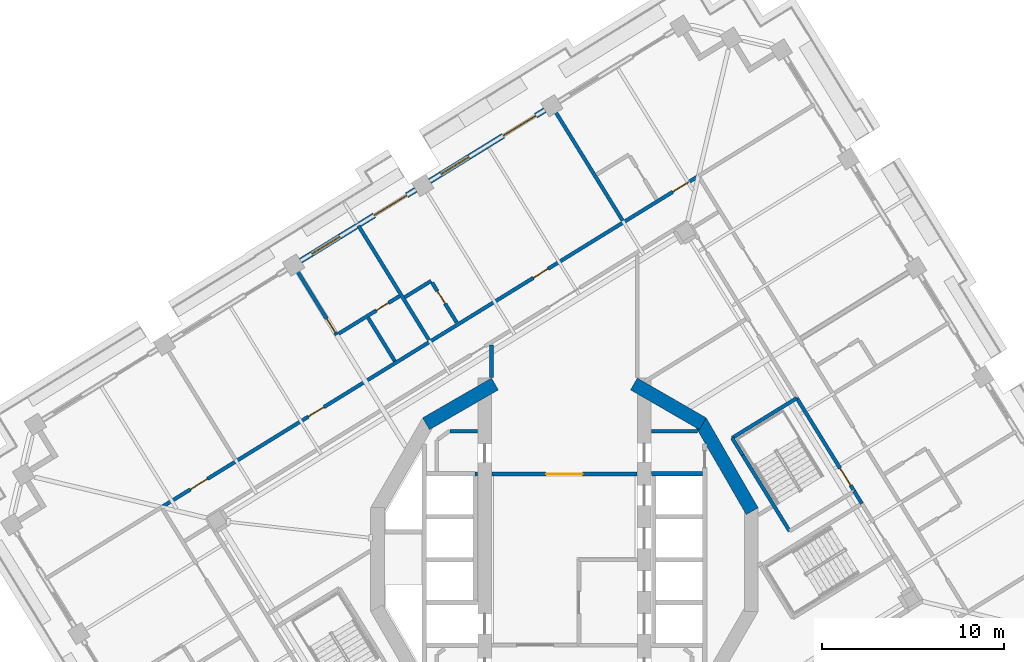
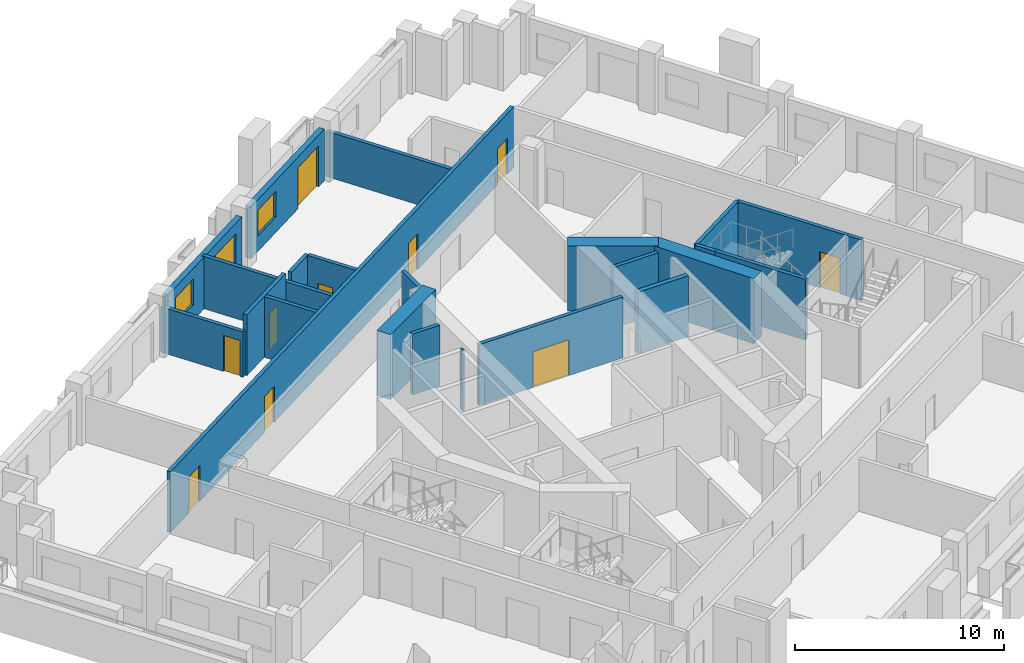
# One storey, part 8 of 20: 24 walls, 11 doors, 2 windows, 13 openings.
"""IFC4 building model written with IfcOpenShell, lengths in metres."""

from ifc_helpers import new_model, si_unit, direction, frame, frame_2d, origin, place, context, subcontext, project, spatial, rectangle, extrude, material, layer, layer_set, type_object, element, fill, save


model = new_model("IFC4")

# Units and contexts
model_context = context("Model", 3, precision=1e-05, world=origin(), true_north=direction((0.0, 1.0)))
body_context = subcontext(model_context, "Body", "Model", "MODEL_VIEW")
ifc_project = project(units=[si_unit("LENGTHUNIT", "METRE"), si_unit("AREAUNIT", "SQUARE_METRE"), si_unit("VOLUMEUNIT", "CUBIC_METRE"), si_unit("PLANEANGLEUNIT", "RADIAN"), si_unit("MASSUNIT", "GRAM", prefix="KILO")], contexts=[model_context])

# Site, building, storey
site_placement = place(None, origin())
site = spatial("IfcSite", under=ifc_project, at=site_placement, CompositionType="ELEMENT")
building_placement = place(site_placement, origin())
building = spatial("IfcBuilding", under=site, at=building_placement, Name="Cantera Rosa Tower", CompositionType="ELEMENT")
storey_placement = place(building_placement, frame((0.0, 0.0, 159.0)))
storey = spatial("IfcBuildingStorey", under=building, at=storey_placement, Name="L34", CompositionType="ELEMENT", Elevation=159.0)

# Wall
ifc_material_1 = material(Name="Gypsum board partition")
ifc_layer_1 = layer(ifc_material_1, 0.199951171875)
ifc_layer_set_1 = layer_set([ifc_layer_1], Name="CORRIDOR WALL 200 H3550")
wall_type_1 = type_object("IfcWallType", Name="CORRIDOR WALL 200 H3550", PredefinedType="PARTITIONING", material=ifc_layer_set_1)
wall_1_placement = place(storey_placement, frame((-4.0, 11.765625, 0.0), z_axis=(0.0, 0.0, 1.0), x_axis=(0.0, -1.0, 0.0)))
element("IfcWall", 1, at=wall_1_placement, inside=storey, type_object=wall_type_1, Name="CORRIDOR WALL L34-058", PredefinedType="PARTITIONING", context=body_context, shape_type="SweptSolid", body=[
    extrude(rectangle(XDim=1.771484375, YDim=0.199951171875, at=frame_2d((0.8857421875, 0.0))), origin(), (0.0, 0.0, 1.0), 3.550048828125),
])

# Wall, opening, door
wall_2_placement = place(storey_placement, frame((-3.969970703125, 4.699951171875, 0.0), z_axis=(0.0, 0.0, 1.0), x_axis=(1.0, 0.0, 0.0)))
wall_2 = element("IfcWall", 2, at=wall_2_placement, inside=storey, type_object=wall_type_1, Name="CORRIDOR WALL L34-059", PredefinedType="PARTITIONING", context=body_context, shape_type="SweptSolid", body=[
    extrude(rectangle(XDim=7.93994140625, YDim=0.199951171875, at=frame_2d((3.969970703125, 0.0))), origin(), (0.0, 0.0, 1.0), 3.550048828125),
])
opening_1_placement = place(wall_2_placement, frame((2.969970703125, 0.0, 0.0)))
opening_1 = element("IfcOpeningElement", 3, at=opening_1_placement, cuts=wall_2, Name="Opening L34-012", PredefinedType="OPENING", context=body_context, shape_type="SweptSolid", body=[
    extrude(rectangle(XDim=2.0, YDim=2.10009765625, at=frame_2d((1.0, 1.050048828125))), frame((0.0, 0.10986328125, 0.0), z_axis=(0.0, -1.0, 0.0), x_axis=(1.0, 0.0, 0.0)), (0.0, 0.0, 1.0), 0.219970703125),
])
ifc_material_2 = material(Name="Steel S355J2 (EN 10025-2)", Category="steel")
door_type_1 = type_object("IfcDoorType", Name="LOBBY SCREEN DOOR 2000x2100", OperationType="NOTDEFINED", PredefinedType="DOOR", material=ifc_material_2)
door_1_placement = place(opening_1_placement, origin())
door_1 = element("IfcDoor", 4, at=door_1_placement, inside=storey, type_object=door_type_1, Name="DOOR L34-012", OperationType="NOTDEFINED", OverallHeight=2.10009765625, OverallWidth=2.0, PredefinedType="DOOR", context=body_context, shape_type="SweptSolid", body=[
    extrude(rectangle(XDim=2.0, YDim=2.10009765625, at=frame_2d((1.0, 1.050048828125))), frame((0.0, 0.02490234375, 0.0), z_axis=(0.0, -1.0, 0.0), x_axis=(1.0, 0.0, 0.0)), (0.0, 0.0, 1.0), 0.050048828125),
])
fill(opening_1, door_1)

# Wall, openings, doors
wall_3_placement = place(storey_placement, frame((7.348388671875, 21.040283203125, 0.0), z_axis=(0.0, 0.0, 1.0), x_axis=(-0.85111711572, -0.524975861662, 0.0)))
wall_3 = element("IfcWall", 5, at=wall_3_placement, inside=storey, type_object=wall_type_1, Name="CORRIDOR WALL L34-089", PredefinedType="PARTITIONING", context=body_context, shape_type="SweptSolid", body=[
    extrude(rectangle(XDim=34.599853515625, YDim=0.199951171875, at=frame_2d((17.2998046875, 0.0))), origin(), (0.0, 0.0, 1.0), 3.550048828125),
])
opening_2_placement = place(wall_3_placement, frame((9.68505859375, 0.0, 0.0)))
opening_2 = element("IfcOpeningElement", 6, at=opening_2_placement, cuts=wall_3, Name="Opening L34-028", PredefinedType="OPENING", context=body_context, shape_type="SweptSolid", body=[
    extrude(rectangle(XDim=0.949951171875, YDim=2.10009765625, at=frame_2d((0.47509765625, 1.050048828125))), frame((0.0, 0.10986328125, 0.0), z_axis=(0.0, -1.0, 0.0), x_axis=(1.0, 0.0, 0.0)), (0.0, 0.0, 1.0), 0.219970703125),
])
opening_3_placement = place(wall_3_placement, frame((24.139892578125, 0.0, 0.0)))
opening_3 = element("IfcOpeningElement", 7, at=opening_3_placement, cuts=wall_3, Name="Opening L34-030", PredefinedType="OPENING", context=body_context, shape_type="SweptSolid", body=[
    extrude(rectangle(XDim=1.0, YDim=2.10009765625, at=frame_2d((0.5, 1.050048828125))), frame((0.0, 0.10986328125, 0.0), z_axis=(0.0, -1.0, 0.0), x_axis=(1.0, 0.0, 0.0)), (0.0, 0.0, 1.0), 0.219970703125),
])
opening_4_placement = place(wall_3_placement, frame((0.64990234375, 0.0, 0.0)))
opening_4 = element("IfcOpeningElement", 8, at=opening_4_placement, cuts=wall_3, Name="Opening L34-033", PredefinedType="OPENING", context=body_context, shape_type="SweptSolid", body=[
    extrude(rectangle(XDim=1.0, YDim=2.10009765625, at=frame_2d((0.5, 1.050048828125))), frame((0.0, 0.10986328125, 0.0), z_axis=(0.0, -1.0, 0.0), x_axis=(1.0, 0.0, 0.0)), (0.0, 0.0, 1.0), 0.219970703125),
])
opening_5_placement = place(wall_3_placement, frame((31.639892578125, 0.0, 0.0)))
opening_5 = element("IfcOpeningElement", 9, at=opening_5_placement, cuts=wall_3, Name="Opening L34-035", PredefinedType="OPENING", context=body_context, shape_type="SweptSolid", body=[
    extrude(rectangle(XDim=1.10009765625, YDim=2.10009765625, at=frame_2d((0.550048828125, 1.050048828125))), frame((0.0, 0.10986328125, 0.0), z_axis=(0.0, -1.0, 0.0), x_axis=(1.0, 0.0, 0.0)), (0.0, 0.0, 1.0), 0.219970703125),
])
ifc_material_3 = material(Name="Timber door leaf", Category="wood")
door_type_2 = type_object("IfcDoorType", Name="ENTRANCE DOOR 1000x2100", OperationType="NOTDEFINED", PredefinedType="DOOR", material=ifc_material_3)
door_2_placement = place(opening_3_placement, origin())
door_2 = element("IfcDoor", 10, at=door_2_placement, inside=storey, type_object=door_type_2, Name="DOOR L34-030", OperationType="NOTDEFINED", OverallHeight=2.10009765625, OverallWidth=1.0, PredefinedType="DOOR", context=body_context, shape_type="SweptSolid", body=[
    extrude(rectangle(XDim=1.0, YDim=2.10009765625, at=frame_2d((0.5, 1.050048828125))), frame((0.0, 0.02490234375, 0.0), z_axis=(0.0, -1.0, 0.0), x_axis=(1.0, 0.0, 0.0)), (0.0, 0.0, 1.0), 0.050048828125),
])
fill(opening_3, door_2)
door_3_placement = place(opening_4_placement, origin())
door_3 = element("IfcDoor", 11, at=door_3_placement, inside=storey, type_object=door_type_2, Name="DOOR L34-033", OperationType="NOTDEFINED", OverallHeight=2.10009765625, OverallWidth=1.0, PredefinedType="DOOR", context=body_context, shape_type="SweptSolid", body=[
    extrude(rectangle(XDim=1.0, YDim=2.10009765625, at=frame_2d((0.5, 1.050048828125))), frame((0.0, 0.02490234375, 0.0), z_axis=(0.0, -1.0, 0.0), x_axis=(1.0, 0.0, 0.0)), (0.0, 0.0, 1.0), 0.050048828125),
])
fill(opening_4, door_3)
ifc_material_4 = material(Name="Timber door leaf", Category="wood")
door_type_3 = type_object("IfcDoorType", Name="ROOM DOOR 1100x2100", OperationType="NOTDEFINED", PredefinedType="DOOR", material=ifc_material_4)
door_4_placement = place(opening_5_placement, origin())
door_4 = element("IfcDoor", 12, at=door_4_placement, inside=storey, type_object=door_type_3, Name="DOOR L34-035", OperationType="NOTDEFINED", OverallHeight=2.10009765625, OverallWidth=1.10009765625, PredefinedType="DOOR", context=body_context, shape_type="SweptSolid", body=[
    extrude(rectangle(XDim=1.10009765625, YDim=2.10009765625, at=frame_2d((0.550048828125, 1.050048828125))), frame((0.0, 0.02490234375, 0.0), z_axis=(0.0, -1.0, 0.0), x_axis=(1.0, 0.0, 0.0)), (0.0, 0.0, 1.0), 0.050048828125),
])
fill(opening_5, door_4)
ifc_material_5 = material(Name="Timber door leaf", Category="wood")
door_type_4 = type_object("IfcDoorType", Name="ROOM DOOR 950x2100", OperationType="NOTDEFINED", PredefinedType="DOOR", material=ifc_material_5)
door_5_placement = place(opening_2_placement, origin())
door_5 = element("IfcDoor", 13, at=door_5_placement, inside=storey, type_object=door_type_4, Name="DOOR L34-028", OperationType="NOTDEFINED", OverallHeight=2.10009765625, OverallWidth=0.949951171875, PredefinedType="DOOR", context=body_context, shape_type="SweptSolid", body=[
    extrude(rectangle(XDim=0.949951171875, YDim=2.10009765625, at=frame_2d((0.47509765625, 1.050048828125))), frame((0.0, 0.02490234375, 0.0), z_axis=(0.0, -1.0, 0.0), x_axis=(1.0, 0.0, 0.0)), (0.0, 0.0, 1.0), 0.050048828125),
])
fill(opening_2, door_5)

# Wall
wall_4_placement = place(storey_placement, frame((16.31591796875, 3.072998046875, 0.0), z_axis=(0.0, 0.0, 1.0), x_axis=(-0.524947597637, 0.85113454855, 0.0)))
element("IfcWall", 14, at=wall_4_placement, inside=storey, type_object=wall_type_1, Name="CORRIDOR WALL L34-111", PredefinedType="PARTITIONING", context=body_context, shape_type="SweptSolid", body=[
    extrude(rectangle(XDim=0.80078125, YDim=0.199951171875, at=frame_2d((0.400390625, 0.0))), origin(), (0.0, 0.0, 1.0), 3.550048828125),
])

# Wall, openings, window, door
ifc_material_6 = material(Name="Hollow clay masonry with cantera stone cladding", Category="masonry")
ifc_layer_2 = layer(ifc_material_6, 0.300048828125)
ifc_layer_set_2 = layer_set([ifc_layer_2], Name="EW-LOGGIA 300 H3020")
wall_type_2 = type_object("IfcWallType", Name="EW-LOGGIA 300 H3020", PredefinedType="SOLIDWALL", material=ifc_layer_set_2)
wall_5_placement = place(storey_placement, frame((-1.07421875, 24.656982421875, 0.0), z_axis=(0.0, 0.0, 1.0), x_axis=(-0.85112578684, -0.524961803349, 0.0)))
wall_5 = element("IfcWall", 15, at=wall_5_placement, inside=storey, type_object=wall_type_2, Name="EN-L34-W09", PredefinedType="SOLIDWALL", context=body_context, shape_type="SweptSolid", body=[
    extrude(rectangle(XDim=7.420166015625, YDim=0.300048828125, at=frame_2d((3.7099609375, 0.0))), origin(), (0.0, 0.0, 1.0), 3.02001953125),
])
opening_6_placement = place(wall_5_placement, frame((0.580078125, 0.0, 0.0)))
opening_6 = element("IfcOpeningElement", 16, at=opening_6_placement, cuts=wall_5, Name="Opening L34-TD13", PredefinedType="OPENING", context=body_context, shape_type="SweptSolid", body=[
    extrude(rectangle(XDim=2.10009765625, YDim=2.39990234375, at=frame_2d((1.050048828125, 1.199951171875))), frame((0.0, 0.159912109375, 0.0), z_axis=(0.0, -1.0, 0.0), x_axis=(1.0, 0.0, 0.0)), (0.0, 0.0, 1.0), 0.320068359375),
])
opening_7_placement = place(wall_5_placement, frame((4.889892578125, 0.0, 0.89990234375)))
opening_7 = element("IfcOpeningElement", 17, at=opening_7_placement, cuts=wall_5, Name="Opening L34-W14", PredefinedType="OPENING", context=body_context, shape_type="SweptSolid", body=[
    extrude(rectangle(XDim=1.800048828125, YDim=1.5, at=frame_2d((0.89990234375, 0.75))), frame((0.0, 0.159912109375, 0.0), z_axis=(0.0, -1.0, 0.0), x_axis=(1.0, 0.0, 0.0)), (0.0, 0.0, 1.0), 0.320068359375),
])
ifc_material_7 = material(Name="Aluminium frame with clear glass", Category="aluminium")
window_type = type_object("IfcWindowType", Name="Hotel room window 1800x1500", PartitioningType="DOUBLE_PANEL_VERTICAL", PredefinedType="WINDOW", material=ifc_material_7)
window_1_placement = place(opening_7_placement, origin())
window_1 = element("IfcWindow", 18, at=window_1_placement, inside=storey, type_object=window_type, Name="WINDOW L34-W14", OverallHeight=1.5, OverallWidth=1.800048828125, PartitioningType="SINGLE_PANEL", PredefinedType="WINDOW", context=body_context, shape_type="SweptSolid", body=[
    extrude(rectangle(XDim=1.800048828125, YDim=1.5, at=frame_2d((0.89990234375, 0.75))), frame((0.0, 0.030029296875, 0.0), z_axis=(0.0, -1.0, 0.0), x_axis=(1.0, 0.0, 0.0)), (0.0, 0.0, 1.0), 0.06005859375),
])
fill(opening_7, window_1)
ifc_material_8 = material(Name="Aluminium frame with clear glass", Category="aluminium")
door_type_5 = type_object("IfcDoorType", Name="TD-H 2100x2400", OperationType="NOTDEFINED", PredefinedType="DOOR", material=ifc_material_8)
door_6_placement = place(opening_6_placement, origin())
door_6 = element("IfcDoor", 19, at=door_6_placement, inside=storey, type_object=door_type_5, Name="LOGGIA DOOR L34-TD13", OperationType="SLIDING_TO_LEFT", OverallHeight=2.39990234375, OverallWidth=2.10009765625, PredefinedType="DOOR", context=body_context, shape_type="SweptSolid", body=[
    extrude(rectangle(XDim=2.10009765625, YDim=2.39990234375, at=frame_2d((1.050048828125, 1.199951171875))), frame((0.0, 0.02490234375, 0.0), z_axis=(0.0, -1.0, 0.0), x_axis=(1.0, 0.0, 0.0)), (0.0, 0.0, 1.0), 0.050048828125),
])
fill(opening_6, door_6)

wall_6_placement = place(storey_placement, frame((-8.155517578125, 20.289306640625, 0.0), z_axis=(0.0, 0.0, 1.0), x_axis=(-0.851111085575, -0.524985637909, 0.0)))
wall_6 = element("IfcWall", 20, at=wall_6_placement, inside=storey, type_object=wall_type_2, Name="EN-L34-W10", PredefinedType="SOLIDWALL", context=body_context, shape_type="SweptSolid", body=[
    extrude(rectangle(XDim=7.420166015625, YDim=0.300048828125, at=frame_2d((3.7099609375, 0.0))), origin(), (0.0, 0.0, 1.0), 3.02001953125),
])
opening_8_placement = place(wall_6_placement, frame((0.580078125, 0.0, 0.0)))
opening_8 = element("IfcOpeningElement", 21, at=opening_8_placement, cuts=wall_6, Name="Opening L34-TD15", PredefinedType="OPENING", context=body_context, shape_type="SweptSolid", body=[
    extrude(rectangle(XDim=2.10009765625, YDim=2.39990234375, at=frame_2d((1.050048828125, 1.199951171875))), frame((0.0, 0.159912109375, 0.0), z_axis=(0.0, -1.0, 0.0), x_axis=(1.0, 0.0, 0.0)), (0.0, 0.0, 1.0), 0.320068359375),
])
opening_9_placement = place(wall_6_placement, frame((4.889892578125, 0.0, 0.89990234375)))
opening_9 = element("IfcOpeningElement", 22, at=opening_9_placement, cuts=wall_6, Name="Opening L34-W16", PredefinedType="OPENING", context=body_context, shape_type="SweptSolid", body=[
    extrude(rectangle(XDim=1.800048828125, YDim=1.5, at=frame_2d((0.89990234375, 0.75))), frame((0.0, 0.159912109375, 0.0), z_axis=(0.0, -1.0, 0.0), x_axis=(1.0, 0.0, 0.0)), (0.0, 0.0, 1.0), 0.320068359375),
])
window_2_placement = place(opening_9_placement, origin())
window_2 = element("IfcWindow", 23, at=window_2_placement, inside=storey, type_object=window_type, Name="WINDOW L34-W16", OverallHeight=1.5, OverallWidth=1.800048828125, PartitioningType="SINGLE_PANEL", PredefinedType="WINDOW", context=body_context, shape_type="SweptSolid", body=[
    extrude(rectangle(XDim=1.800048828125, YDim=1.5, at=frame_2d((0.89990234375, 0.75))), frame((0.0, 0.030029296875, 0.0), z_axis=(0.0, -1.0, 0.0), x_axis=(1.0, 0.0, 0.0)), (0.0, 0.0, 1.0), 0.06005859375),
])
fill(opening_9, window_2)
door_7_placement = place(opening_8_placement, origin())
door_7 = element("IfcDoor", 24, at=door_7_placement, inside=storey, type_object=door_type_5, Name="LOGGIA DOOR L34-TD15", OperationType="SLIDING_TO_LEFT", OverallHeight=2.39990234375, OverallWidth=2.10009765625, PredefinedType="DOOR", context=body_context, shape_type="SweptSolid", body=[
    extrude(rectangle(XDim=2.10009765625, YDim=2.39990234375, at=frame_2d((1.050048828125, 1.199951171875))), frame((0.0, 0.02490234375, 0.0), z_axis=(0.0, -1.0, 0.0), x_axis=(1.0, 0.0, 0.0)), (0.0, 0.0, 1.0), 0.050048828125),
])
fill(opening_8, door_7)

# Wall, opening, door
ifc_material_9 = material(Name="Gypsum board partition")
ifc_layer_3 = layer(ifc_material_9, 0.199951171875)
ifc_layer_set_3 = layer_set([ifc_layer_3], Name="PARTITION 200 H2650")
wall_type_3 = type_object("IfcWallType", Name="PARTITION 200 H2650", PredefinedType="PARTITIONING", material=ifc_layer_set_3)
wall_7_placement = place(storey_placement, frame((-12.491455078125, 12.32763671875, 0.0), z_axis=(0.0, 0.0, 1.0), x_axis=(-0.524986965499, 0.851110266685, 0.0)))
wall_7 = element("IfcWall", 25, at=wall_7_placement, inside=storey, type_object=wall_type_3, Name="PARTITION L34-018", PredefinedType="PARTITIONING", context=body_context, shape_type="SweptSolid", body=[
    extrude(rectangle(XDim=4.469970703125, YDim=0.199951171875, at=frame_2d((2.23486328125, 0.0))), origin(), (0.0, 0.0, 1.0), 2.64990234375),
])
opening_10_placement = place(wall_7_placement, frame((0.14990234375, 0.0, 0.0)))
opening_10 = element("IfcOpeningElement", 26, at=opening_10_placement, cuts=wall_7, Name="Opening L34-031", PredefinedType="OPENING", context=body_context, shape_type="SweptSolid", body=[
    extrude(rectangle(XDim=0.89990234375, YDim=2.10009765625, at=frame_2d((0.449951171875, 1.050048828125))), frame((0.0, 0.10986328125, 0.0), z_axis=(0.0, -1.0, 0.0), x_axis=(1.0, 0.0, 0.0)), (0.0, 0.0, 1.0), 0.219970703125),
])
ifc_material_10 = material(Name="Timber door leaf", Category="wood")
door_type_6 = type_object("IfcDoorType", Name="ROOM DOOR 900x2100", OperationType="NOTDEFINED", PredefinedType="DOOR", material=ifc_material_10)
door_8_placement = place(opening_10_placement, origin())
door_8 = element("IfcDoor", 27, at=door_8_placement, inside=storey, type_object=door_type_6, Name="DOOR L34-031", OperationType="NOTDEFINED", OverallHeight=2.10009765625, OverallWidth=0.89990234375, PredefinedType="DOOR", context=body_context, shape_type="SweptSolid", body=[
    extrude(rectangle(XDim=0.89990234375, YDim=2.10009765625, at=frame_2d((0.449951171875, 1.050048828125))), frame((0.0, 0.02490234375, 0.0), z_axis=(0.0, -1.0, 0.0), x_axis=(1.0, 0.0, 0.0)), (0.0, 0.0, 1.0), 0.050048828125),
])
fill(opening_10, door_8)

# Wall
ifc_material_11 = material(Name="Gypsum board partition")
ifc_layer_4 = layer(ifc_material_11, 0.199951171875)
ifc_layer_set_4 = layer_set([ifc_layer_4], Name="PARTITION 200 H3550")
wall_type_4 = type_object("IfcWallType", Name="PARTITION 200 H3550", PredefinedType="PARTITIONING", material=ifc_layer_set_4)
wall_8_placement = place(storey_placement, frame((-9.30078125, 10.888427734375, 0.0), z_axis=(0.0, 0.0, 1.0), x_axis=(-0.525008529336, 0.851096965172, 0.0)))
element("IfcWall", 28, at=wall_8_placement, inside=storey, type_object=wall_type_4, Name="PARTITION L34-025", PredefinedType="PARTITIONING", context=body_context, shape_type="SweptSolid", body=[
    extrude(rectangle(XDim=2.77978515625, YDim=0.199951171875, at=frame_2d((1.389892578125, 0.0))), origin(), (0.0, 0.0, 1.0), 3.550048828125),
])

# Wall, opening, door
wall_9_placement = place(storey_placement, frame((-9.052978515625, 14.448486328125, 0.0), z_axis=(0.0, 0.0, 1.0), x_axis=(-0.851125418934, -0.524962399839, 0.0)))
wall_9 = element("IfcWall", 29, at=wall_9_placement, inside=storey, type_object=wall_type_4, Name="PARTITION L34-027", PredefinedType="PARTITIONING", context=body_context, shape_type="SweptSolid", body=[
    extrude(rectangle(XDim=3.919921875, YDim=0.199951171875, at=frame_2d((1.9599609375, 0.0))), origin(), (0.0, 0.0, 1.0), 3.550048828125),
])
opening_11_placement = place(wall_9_placement, frame((0.68994140625, 0.0, 0.0)))
opening_11 = element("IfcOpeningElement", 30, at=opening_11_placement, cuts=wall_9, Name="Opening L34-032", PredefinedType="OPENING", context=body_context, shape_type="SweptSolid", body=[
    extrude(rectangle(XDim=0.800048828125, YDim=2.10009765625, at=frame_2d((0.39990234375, 1.050048828125))), frame((0.0, 0.10986328125, 0.0), z_axis=(0.0, -1.0, 0.0), x_axis=(1.0, 0.0, 0.0)), (0.0, 0.0, 1.0), 0.219970703125),
])
ifc_material_12 = material(Name="Timber door leaf", Category="wood")
door_type_7 = type_object("IfcDoorType", Name="BATHROOM DOOR 800x2100", OperationType="NOTDEFINED", PredefinedType="DOOR", material=ifc_material_12)
door_9_placement = place(opening_11_placement, origin())
door_9 = element("IfcDoor", 31, at=door_9_placement, inside=storey, type_object=door_type_7, Name="DOOR L34-032", OperationType="NOTDEFINED", OverallHeight=2.10009765625, OverallWidth=0.800048828125, PredefinedType="DOOR", context=body_context, shape_type="SweptSolid", body=[
    extrude(rectangle(XDim=0.800048828125, YDim=2.10009765625, at=frame_2d((0.39990234375, 1.050048828125))), frame((0.0, 0.02490234375, 0.0), z_axis=(0.0, -1.0, 0.0), x_axis=(1.0, 0.0, 0.0)), (0.0, 0.0, 1.0), 0.050048828125),
])
fill(opening_11, door_9)

# Wall
wall_10_placement = place(storey_placement, frame((-8.7607421875, 14.393798828125, 0.0), z_axis=(0.0, 0.0, 1.0), x_axis=(0.851105638601, 0.524994468487, 0.0)))
element("IfcWall", 32, at=wall_10_placement, inside=storey, type_object=wall_type_4, Name="PARTITION L34-028", PredefinedType="PARTITIONING", context=body_context, shape_type="SweptSolid", body=[
    extrude(rectangle(XDim=1.7001953125, YDim=0.199951171875, at=frame_2d((0.85009765625, 0.0))), origin(), (0.0, 0.0, 1.0), 3.550048828125),
])

# Wall, opening, door
wall_11_placement = place(storey_placement, frame((-7.26123046875, 15.201171875, 0.0), z_axis=(0.0, 0.0, 1.0), x_axis=(0.524936695429, -0.851141272523, 0.0)))
wall_11 = element("IfcWall", 33, at=wall_11_placement, inside=storey, type_object=wall_type_4, Name="PARTITION L34-040", PredefinedType="PARTITIONING", context=body_context, shape_type="SweptSolid", body=[
    extrude(rectangle(XDim=2.579833984375, YDim=0.199951171875, at=frame_2d((1.2900390625, 0.0))), origin(), (0.0, 0.0, 1.0), 3.550048828125),
])
opening_12_placement = place(wall_11_placement, frame((0.56396484375, 0.0, 0.0)))
opening_12 = element("IfcOpeningElement", 34, at=opening_12_placement, cuts=wall_11, Name="Opening L34-029", PredefinedType="OPENING", context=body_context, shape_type="SweptSolid", body=[
    extrude(rectangle(XDim=0.800048828125, YDim=2.10009765625, at=frame_2d((0.39990234375, 1.050048828125))), frame((0.0, 0.10986328125, 0.0), z_axis=(0.0, -1.0, 0.0), x_axis=(1.0, 0.0, 0.0)), (0.0, 0.0, 1.0), 0.219970703125),
])
door_10_placement = place(opening_12_placement, origin())
door_10 = element("IfcDoor", 35, at=door_10_placement, inside=storey, type_object=door_type_7, Name="DOOR L34-029", OperationType="NOTDEFINED", OverallHeight=2.10009765625, OverallWidth=0.800048828125, PredefinedType="DOOR", context=body_context, shape_type="SweptSolid", body=[
    extrude(rectangle(XDim=0.800048828125, YDim=2.10009765625, at=frame_2d((0.39990234375, 1.050048828125))), frame((0.0, 0.02490234375, 0.0), z_axis=(0.0, -1.0, 0.0), x_axis=(1.0, 0.0, 0.0)), (0.0, 0.0, 1.0), 0.050048828125),
])
fill(opening_12, door_10)

# Walls
wall_12_placement = place(storey_placement, frame((-6.273681640625, 7.050048828125, 0.0), z_axis=(0.0, 0.0, 1.0), x_axis=(1.0, 0.0, 0.0)))
element("IfcWall", 36, at=wall_12_placement, inside=storey, type_object=wall_type_4, Name="PARTITION L34-048", PredefinedType="PARTITIONING", context=body_context, shape_type="SweptSolid", body=[
    extrude(rectangle(XDim=1.49365234375, YDim=0.199951171875, at=frame_2d((0.746826171875, 0.0))), origin(), (0.0, 0.0, 1.0), 3.550048828125),
])
wall_13_placement = place(storey_placement, frame((-4.780029296875, 4.699951171875, 0.0), z_axis=(0.0, 0.0, 1.0), x_axis=(-1.0, 0.0, 0.0)))
element("IfcWall", 37, at=wall_13_placement, inside=storey, type_object=wall_type_4, Name="PARTITION L34-053", PredefinedType="PARTITIONING", context=body_context, shape_type="SweptSolid", body=[
    extrude(rectangle(XDim=0.119873046875, YDim=0.199951171875, at=frame_2d((0.06005859375, 0.0))), origin(), (0.0, 0.0, 1.0), 3.550048828125),
])
wall_14_placement = place(storey_placement, frame((4.780029296875, 7.050048828125, 0.0), z_axis=(0.0, 0.0, 1.0), x_axis=(1.0, 0.0, 0.0)))
element("IfcWall", 38, at=wall_14_placement, inside=storey, type_object=wall_type_4, Name="PARTITION L34-080", PredefinedType="PARTITIONING", context=body_context, shape_type="SweptSolid", body=[
    extrude(rectangle(XDim=2.517822265625, YDim=0.199951171875, at=frame_2d((1.2587890625, 0.0))), origin(), (0.0, 0.0, 1.0), 3.550048828125),
])
ifc_material_13 = material(Name="Gypsum board partition")
ifc_layer_5 = layer(ifc_material_13, 0.199951171875)
ifc_layer_set_5 = layer_set([ifc_layer_5], Name="PARTY WALL 200 H2650")
wall_type_5 = type_object("IfcWallType", Name="PARTY WALL 200 H2650", PredefinedType="PARTITIONING", material=ifc_layer_set_5)
wall_15_placement = place(storey_placement, frame((-0.675537109375, 24.86767578125, 0.0), z_axis=(0.0, 0.0, 1.0), x_axis=(0.52498429839, -0.851111911821, 0.0)))
element("IfcWall", 39, at=wall_15_placement, inside=storey, type_object=wall_type_5, Name="PARTY WALL L34-062", PredefinedType="PARTITIONING", context=body_context, shape_type="SweptSolid", body=[
    extrude(rectangle(XDim=7.3701171875, YDim=0.199951171875, at=frame_2d((3.68505859375, 0.0))), origin(), (0.0, 0.0, 1.0), 2.64990234375),
])
ifc_material_14 = material(Name="Gypsum board partition")
ifc_layer_6 = layer(ifc_material_14, 0.199951171875)
ifc_layer_set_6 = layer_set([ifc_layer_6], Name="PARTY WALL 200 H3050")
wall_type_6 = type_object("IfcWallType", Name="PARTY WALL 200 H3050", PredefinedType="PARTITIONING", material=ifc_layer_set_6)
wall_16_placement = place(storey_placement, frame((-7.428466796875, 12.043212890625, 0.0), z_axis=(0.0, 0.0, 1.0), x_axis=(-0.52498429839, 0.851111911821, 0.0)))
element("IfcWall", 40, at=wall_16_placement, inside=storey, type_object=wall_type_6, Name="PARTY WALL L34-038", PredefinedType="PARTITIONING", context=body_context, shape_type="SweptSolid", body=[
    extrude(rectangle(XDim=7.3701171875, YDim=0.199951171875, at=frame_2d((3.68505859375, 0.0))), origin(), (0.0, 0.0, 1.0), 3.050048828125),
])
ifc_material_15 = material(Name="Concrete C60/75", Category="concrete")
ifc_layer_7 = layer(ifc_material_15, 0.75)
ifc_layer_set_7 = layer_set([ifc_layer_7], Name="RC CORE WALL 750 C60/75")
wall_type_7 = type_object("IfcWallType", Name="RC CORE WALL 750 C60/75", PredefinedType="SHEAR", material=ifc_layer_set_7)
for number, where, z_axis, x_axis, name in (
    (41, (-7.590576171875, 7.453369140625, 0.0), (0.0, 0.0, 1.0), (0.866013176292, 0.50002117804, 0.0), "CW-W5 L34"),
    (42, (3.8125, 9.634765625, 0.0), (0.0, 0.0, 1.0), (0.866013176292, -0.50002117804, 0.0), "CW-E1 L34"),
):
    element("IfcWall", number, at=place(storey_placement, frame(where, z_axis=z_axis, x_axis=x_axis)), inside=storey, type_object=wall_type_7, Name=name, PredefinedType="SHEAR", context=body_context, shape_type="SweptSolid", body=[
        extrude(rectangle(XDim=4.362548828125, YDim=0.75, at=frame_2d((2.18115234375, 0.0))), origin(), (0.0, 0.0, 1.0), 3.800048828125),
    ])
wall_17_placement = place(storey_placement, frame((7.453369140625, 7.590576171875, 0.0), z_axis=(0.0, 0.0, 1.0), x_axis=(0.500021842983, -0.866012792365, 0.0)))
element("IfcWall", 43, at=wall_17_placement, inside=storey, type_object=wall_type_7, Name="CW-E2 L34", PredefinedType="SHEAR", context=body_context, shape_type="SweptSolid", body=[
    extrude(rectangle(XDim=5.694091796875, YDim=0.75, at=frame_2d((2.84716796875, 0.0))), origin(), (0.0, 0.0, 1.0), 3.800048828125),
])
ifc_material_16 = material(Name="Masonry blockwork", Category="masonry")
ifc_layer_8 = layer(ifc_material_16, 0.25)
ifc_layer_set_8 = layer_set([ifc_layer_8], Name="SHAFT WALL 250 H3550")
wall_type_8 = type_object("IfcWallType", Name="SHAFT WALL 250 H3550", PredefinedType="SOLIDWALL", material=ifc_layer_set_8)
wall_18_placement = place(storey_placement, frame((4.780029296875, 4.699951171875, 0.0), z_axis=(0.0, 0.0, 1.0), x_axis=(1.0, 0.0, 0.0)))
element("IfcWall", 44, at=wall_18_placement, inside=storey, type_object=wall_type_8, Name="SHAFT WALL L34-079", PredefinedType="SOLIDWALL", context=body_context, shape_type="SweptSolid", body=[
    extrude(rectangle(XDim=2.794921875, YDim=0.25, at=frame_2d((1.3974609375, 0.0))), origin(), (0.0, 0.0, 1.0), 3.550048828125),
])
ifc_material_17 = material(Name="Concrete C50/60", Category="concrete")
ifc_layer_9 = layer(ifc_material_17, 0.199951171875)
ifc_layer_set_9 = layer_set([ifc_layer_9], Name="STAIR WALL 200 H3550")
wall_type_9 = type_object("IfcWallType", Name="STAIR WALL 200 H3550", PredefinedType="SOLIDWALL", material=ifc_layer_set_9)
wall_19_placement = place(storey_placement, frame((9.199462890625, 6.674072265625, 0.0), z_axis=(0.0, 0.0, 1.0), x_axis=(0.524902102766, -0.851162606387, 0.0)))
element("IfcWall", 45, at=wall_19_placement, inside=storey, type_object=wall_type_9, Name="STAIR WALL L34-096", PredefinedType="SOLIDWALL", context=body_context, shape_type="SweptSolid", body=[
    extrude(rectangle(XDim=1.10009765625, YDim=0.199951171875, at=frame_2d((0.550048828125, 0.0))), origin(), (0.0, 0.0, 1.0), 3.550048828125),
])
wall_20_placement = place(storey_placement, frame((12.74560546875, 8.861328125, 0.0), z_axis=(0.0, 0.0, 1.0), x_axis=(-0.851120688733, -0.524970068871, 0.0)))
element("IfcWall", 46, at=wall_20_placement, inside=storey, type_object=wall_type_9, Name="STAIR WALL L34-104", PredefinedType="SOLIDWALL", context=body_context, shape_type="SweptSolid", body=[
    extrude(rectangle(XDim=4.16650390625, YDim=0.199951171875, at=frame_2d((2.083251953125, 0.0))), origin(), (0.0, 0.0, 1.0), 3.550048828125),
])

# Wall, opening, door
wall_21_placement = place(storey_placement, frame((15.8955078125, 3.754638671875, 0.0), z_axis=(0.0, 0.0, 1.0), x_axis=(-0.524982543144, 0.851112994493, 0.0)))
wall_21 = element("IfcWall", 47, at=wall_21_placement, inside=storey, type_object=wall_type_9, Name="STAIR WALL L34-109", PredefinedType="SOLIDWALL", context=body_context, shape_type="SweptSolid", body=[
    extrude(rectangle(XDim=6.0, YDim=0.199951171875, at=frame_2d((3.0, 0.0))), origin(), (0.0, 0.0, 1.0), 3.550048828125),
])
opening_13_placement = place(wall_21_placement, frame((0.375, 0.0, 0.0)))
opening_13 = element("IfcOpeningElement", 48, at=opening_13_placement, cuts=wall_21, Name="Opening L34-001", PredefinedType="OPENING", context=body_context, shape_type="SweptSolid", body=[
    extrude(rectangle(XDim=1.10009765625, YDim=2.10009765625, at=frame_2d((0.550048828125, 1.050048828125))), frame((0.0, 0.10986328125, 0.0), z_axis=(0.0, -1.0, 0.0), x_axis=(1.0, 0.0, 0.0)), (0.0, 0.0, 1.0), 0.219970703125),
])
ifc_material_18 = material(Name="Steel S355J2 (EN 10025-2)", Category="steel")
door_type_8 = type_object("IfcDoorType", Name="STAIR DOOR 1100x2100", OperationType="NOTDEFINED", PredefinedType="DOOR", material=ifc_material_18)
door_11_placement = place(opening_13_placement, origin())
door_11 = element("IfcDoor", 49, at=door_11_placement, inside=storey, type_object=door_type_8, Name="DOOR L34-001", OperationType="NOTDEFINED", OverallHeight=2.10009765625, OverallWidth=1.10009765625, PredefinedType="DOOR", context=body_context, shape_type="SweptSolid", body=[
    extrude(rectangle(XDim=1.10009765625, YDim=2.10009765625, at=frame_2d((0.550048828125, 1.050048828125))), frame((0.0, 0.02490234375, 0.0), z_axis=(0.0, -1.0, 0.0), x_axis=(1.0, 0.0, 0.0)), (0.0, 0.0, 1.0), 0.050048828125),
])
fill(opening_13, door_11)

# Wall
wall_22_placement = place(storey_placement, frame((9.77685546875, 5.73779296875, 0.0), z_axis=(0.0, 0.0, 1.0), x_axis=(0.525000600504, -0.851101856108, 0.0)))
element("IfcWall", 50, at=wall_22_placement, inside=storey, type_object=wall_type_9, Name="STAIR WALL L34-096 J", PredefinedType="SOLIDWALL", context=body_context, shape_type="SweptSolid", body=[
    extrude(rectangle(XDim=4.89990234375, YDim=0.199951171875, at=frame_2d((2.449951171875, 0.0))), origin(), (0.0, 0.0, 1.0), 3.550048828125),
])

save(model, "model.ifc")
